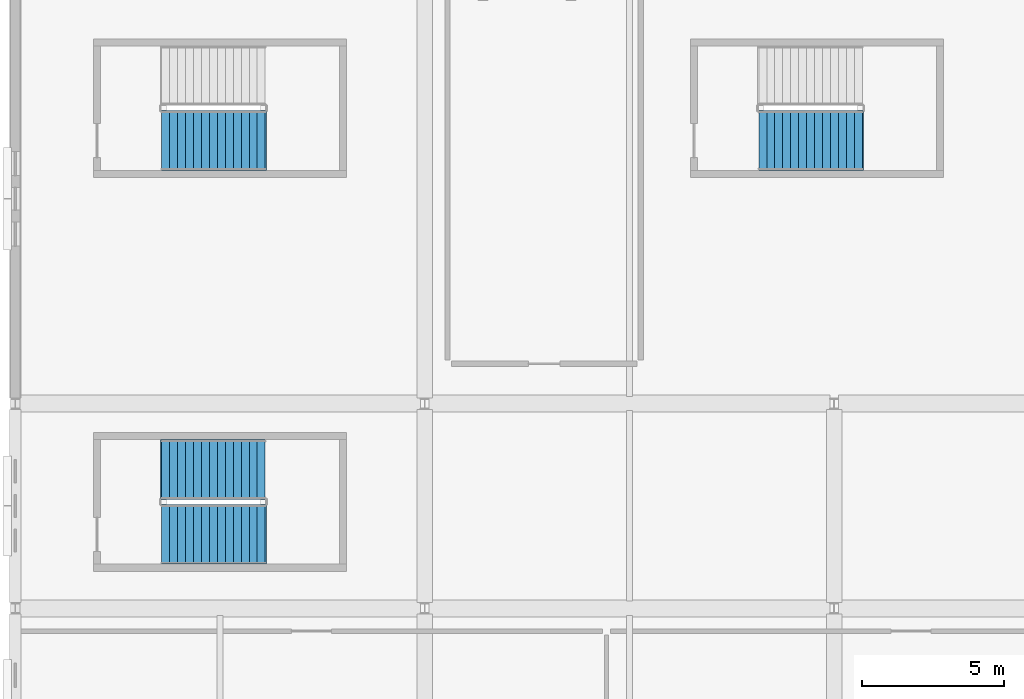
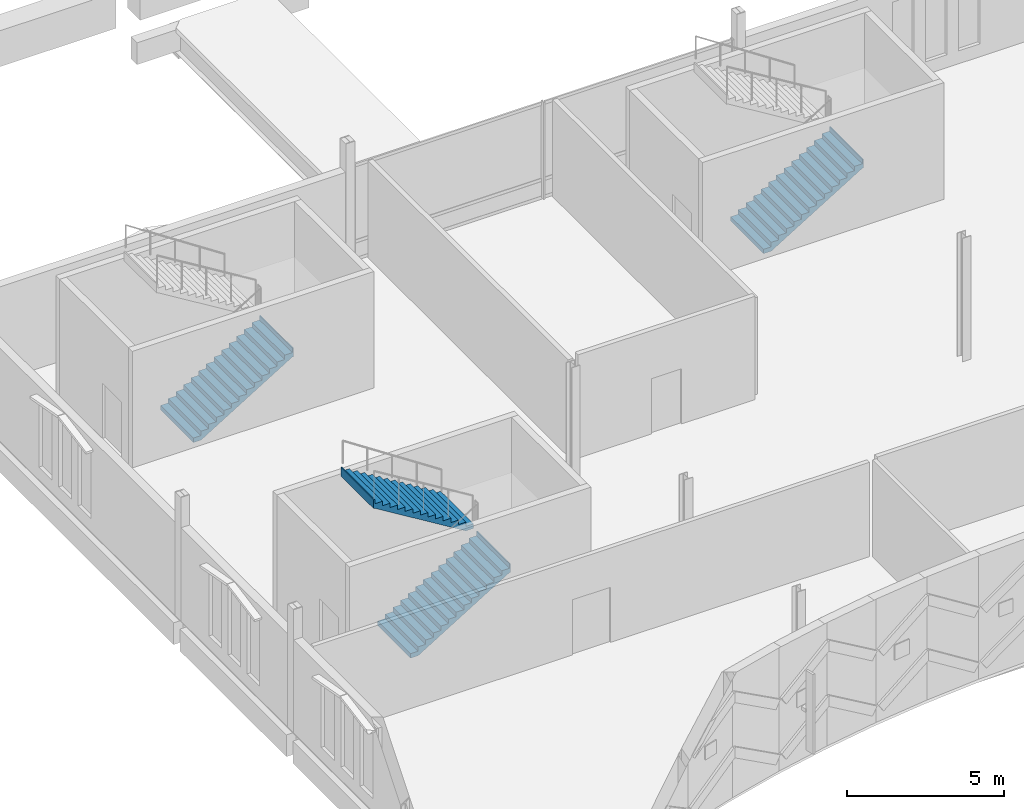
# One storey, part 163 of 193: 4 stair flights, 3 elements without a shape of their own.
"""IFC4 building model written with IfcOpenShell, lengths in metres."""

from ifc_helpers import new_model, si_unit, direction, frame, origin, place, context, subcontext, project, spatial, triangles, material, type_object, element, aggregate, save


model = new_model("IFC4")

# Units and contexts
model_context = context("Model", 3, precision=1e-05, world=origin(), true_north=direction((0.0, 1.0)))
body_context = subcontext(model_context, "Body", "Model", "MODEL_VIEW")
ifc_project = project(units=[si_unit("LENGTHUNIT", "METRE"), si_unit("AREAUNIT", "SQUARE_METRE"), si_unit("VOLUMEUNIT", "CUBIC_METRE"), si_unit("PLANEANGLEUNIT", "RADIAN"), si_unit("MASSUNIT", "GRAM", prefix="KILO")], contexts=[model_context])

# Site, building, storey
site_placement = place(None, origin())
site = spatial("IfcSite", under=ifc_project, at=site_placement, CompositionType="ELEMENT")
building_placement = place(site_placement, origin())
building = spatial("IfcBuilding", under=site, at=building_placement, Name="Cendralis Lancet Convention Centre", CompositionType="ELEMENT")
storey_placement = place(building_placement, frame((0.0, 0.0, 10.199951171875)))
storey = spatial("IfcBuildingStorey", under=building, at=storey_placement, Name="L02", CompositionType="ELEMENT", Elevation=10.199951171875)

# Stair, stair flight
ifc_material = material(Name="Concrete G35 (C35/45)", Category="concrete")
stair_type = type_object("IfcStairType", Name="ARC-ST-CORE", PredefinedType="HALF_TURN_STAIR", material=ifc_material)
stair_1_placement = place(storey_placement, origin())
stair_1 = element("IfcStair", 1, at=stair_1_placement, inside=storey, type_object=stair_type, Name="L02 Protected Exit Stair ST-11", PredefinedType="HALF_TURN_STAIR")
stair_flight_type = type_object("IfcStairFlightType", Name="ARC-SF-CORE", PredefinedType="STRAIGHT", material=ifc_material)
stair_flight_1_placement = place(storey_placement, frame((26.14990234375, 30.85009765625, 0.0), z_axis=(0.0, 0.0, 1.0), x_axis=(1.0, 0.0, 0.0)))
stair_flight_1 = element("IfcStairFlight", 2, at=stair_flight_1_placement, type_object=stair_flight_type, Name="ST-11 flight 1", NumberOfRisers=14, NumberOfTreads=13, PredefinedType="STRAIGHT", RiserHeight=0.171428571, TreadLength=0.28, context=body_context, shape_type="Tessellation", body=[
    triangles([(0.0, 0.0, 0.085714), (0.0, 1.050049, 0.0), (0.0, -1.050049, 0.0), (0.0, -1.050049, 0.171429), (0.0, 1.050049, 0.171429), (0.14, 0.0, 0.171429), (0.28, -1.050049, 0.171429), (0.28, 1.050049, 0.171429), (0.14, 0.0, 0.0), (0.28, -1.050049, 0.0), (0.28, 1.050049, 0.0), (0.28, 0.0, 0.257143), (0.28, -1.050049, 0.342857), (0.28, 1.050049, 0.342857), (0.283543, 0.0, 0.342857), (0.287085, -1.050049, 0.342857), (0.287085, 1.050049, 0.342857), (0.283543, 0.0, 0.0), (0.287085, -1.050049, 0.0), (0.287085, 1.050049, 0.0), (0.423543, 0.0, 0.342857), (0.56, -1.050049, 0.342857), (0.56, 1.050049, 0.342857), (0.423543, 0.0, 0.083545), (0.56, -1.050049, 0.167091), (0.56, 1.050049, 0.167091), (0.56, 0.0, 0.428572), (0.56, -1.050049, 0.514286), (0.56, 1.050049, 0.514286), (0.7, 0.0, 0.514286), (0.84, -1.050049, 0.514286), (0.84, 1.050049, 0.514286), (0.7, 0.0, 0.252806), (0.84, -1.050049, 0.33852), (0.84, 1.050049, 0.33852), (0.84, 0.0, 0.6), (0.84, -1.050049, 0.685714), (0.84, 1.050049, 0.685714), (0.98, 0.0, 0.685714), (1.12, -1.050049, 0.685714), (1.12, 1.050049, 0.685714), (0.98, 0.0, 0.424234), (1.12, -1.050049, 0.509948), (1.12, 1.050049, 0.509948), (1.12, 0.0, 0.771429), (1.12, -1.050049, 0.857143), (1.12, 1.050049, 0.857143), (1.26, 0.0, 0.857143), (1.4, -1.050049, 0.857143), (1.4, 1.050049, 0.857143), (1.26, 0.0, 0.595662), (1.4, -1.050049, 0.681377), (1.4, 1.050049, 0.681377), (1.4, 0.0, 0.942857), (1.4, -1.050049, 1.028571), (1.4, 1.050049, 1.028571), (1.54, 0.0, 1.028571), (1.68, -1.050049, 1.028571), (1.68, 1.050049, 1.028571), (1.54, 0.0, 0.767091), (1.68, -1.050049, 0.852805), (1.68, 1.050049, 0.852805), (1.68, 0.0, 1.114286), (1.68, -1.050049, 1.2), (1.68, 1.050049, 1.2), (1.82, 0.0, 1.2), (1.96, -1.050049, 1.2), (1.96, 1.050049, 1.2), (1.82, 0.0, 0.938519), (1.96, -1.050049, 1.024234), (1.96, 1.050049, 1.024234), (1.96, 0.0, 1.285715), (1.96, -1.050049, 1.371429), (1.96, 1.050049, 1.371429), (2.1, 0.0, 1.371429), (2.24, -1.050049, 1.371429), (2.24, 1.050049, 1.371429), (2.1, 0.0, 1.109948), (2.24, -1.050049, 1.195662), (2.24, 1.050049, 1.195662), (2.24, 0.0, 1.457143), (2.24, -1.050049, 1.542857), (2.24, 1.050049, 1.542857), (2.38, 0.0, 1.542857), (2.52, -1.050049, 1.542857), (2.52, 1.050049, 1.542857), (2.38, 0.0, 1.281376), (2.52, -1.050049, 1.367091), (2.52, 1.050049, 1.367091), (2.52, 0.0, 1.628572), (2.52, -1.050049, 1.714286), (2.52, 1.050049, 1.714286), (2.66, 0.0, 1.714286), (2.8, -1.050049, 1.714286), (2.8, 1.050049, 1.714286), (2.66, 0.0, 1.452806), (2.8, -1.050049, 1.53852), (2.8, 1.050049, 1.53852), (2.8, 0.0, 1.8), (2.8, -1.050049, 1.885714), (2.8, 1.050049, 1.885714), (2.94, 0.0, 1.885714), (3.08, -1.050049, 1.885714), (3.08, 1.050049, 1.885714), (2.94, 0.0, 1.624234), (3.08, -1.050049, 1.709948), (3.08, 1.050049, 1.709948), (3.08, 0.0, 1.971429), (3.08, -1.050049, 2.057143), (3.08, 1.050049, 2.057143), (3.22, 0.0, 2.057143), (3.36, -1.050049, 2.057143), (3.36, 1.050049, 2.057143), (3.22, 0.0, 1.795663), (3.36, -1.050049, 1.881377), (3.36, 1.050049, 1.881377), (3.36, 0.0, 2.142857), (3.36, -1.050049, 2.228571), (3.36, 1.050049, 2.228571), (3.5, 0.0, 2.228571), (3.64, -1.050049, 2.228571), (3.64, 1.050049, 2.228571), (3.5, 0.0, 1.967091), (3.64, -1.050049, 2.052805), (3.64, 1.050049, 2.052805), (3.64, 0.0, 2.314285), (3.64, -1.050049, 2.4), (3.64, 1.050049, 2.4), (3.66, 0.0, 2.4), (3.68, -1.050049, 2.4), (3.68, 1.050049, 2.4), (3.66, 0.0, 2.052805), (3.68, -1.050049, 2.052805), (3.68, 1.050049, 2.052805), (3.68, 0.0, 2.226403)], [[2, 3, 1], [3, 4, 1], [4, 5, 1], [5, 2, 1], [4, 7, 6], [7, 8, 6], [8, 5, 6], [5, 4, 6], [10, 3, 9], [3, 2, 9], [2, 11, 9], [11, 10, 9], [3, 10, 7], [3, 7, 4], [2, 8, 11], [2, 5, 8], [8, 7, 12], [7, 13, 12], [13, 14, 12], [14, 8, 12], [13, 16, 15], [16, 17, 15], [17, 14, 15], [14, 13, 15], [19, 10, 18], [10, 11, 18], [11, 20, 18], [20, 19, 18], [10, 19, 16], [10, 16, 7], [7, 16, 13], [11, 17, 20], [11, 8, 17], [8, 14, 17], [16, 22, 21], [22, 23, 21], [23, 17, 21], [17, 16, 21], [25, 19, 24], [19, 20, 24], [20, 26, 24], [26, 25, 24], [19, 25, 22], [19, 22, 16], [20, 23, 26], [20, 17, 23], [23, 22, 27], [22, 28, 27], [28, 29, 27], [29, 23, 27], [28, 31, 30], [31, 32, 30], [32, 29, 30], [29, 28, 30], [34, 25, 33], [25, 26, 33], [26, 35, 33], [35, 34, 33], [25, 34, 31], [25, 31, 22], [22, 31, 28], [26, 32, 35], [26, 23, 32], [23, 29, 32], [32, 31, 36], [31, 37, 36], [37, 38, 36], [38, 32, 36], [37, 40, 39], [40, 41, 39], [41, 38, 39], [38, 37, 39], [43, 34, 42], [34, 35, 42], [35, 44, 42], [44, 43, 42], [34, 43, 40], [34, 40, 31], [31, 40, 37], [35, 41, 44], [35, 32, 41], [32, 38, 41], [41, 40, 45], [40, 46, 45], [46, 47, 45], [47, 41, 45], [46, 49, 48], [49, 50, 48], [50, 47, 48], [47, 46, 48], [52, 43, 51], [43, 44, 51], [44, 53, 51], [53, 52, 51], [43, 52, 49], [43, 49, 40], [40, 49, 46], [44, 50, 53], [44, 41, 50], [41, 47, 50], [50, 49, 54], [49, 55, 54], [55, 56, 54], [56, 50, 54], [55, 58, 57], [58, 59, 57], [59, 56, 57], [56, 55, 57], [61, 52, 60], [52, 53, 60], [53, 62, 60], [62, 61, 60], [52, 61, 58], [52, 58, 49], [49, 58, 55], [53, 59, 62], [53, 50, 59], [50, 56, 59], [59, 58, 63], [58, 64, 63], [64, 65, 63], [65, 59, 63], [64, 67, 66], [67, 68, 66], [68, 65, 66], [65, 64, 66], [70, 61, 69], [61, 62, 69], [62, 71, 69], [71, 70, 69], [61, 70, 67], [61, 67, 58], [58, 67, 64], [62, 68, 71], [62, 59, 68], [59, 65, 68], [68, 67, 72], [67, 73, 72], [73, 74, 72], [74, 68, 72], [73, 76, 75], [76, 77, 75], [77, 74, 75], [74, 73, 75], [79, 70, 78], [70, 71, 78], [71, 80, 78], [80, 79, 78], [70, 79, 76], [70, 76, 67], [67, 76, 73], [71, 77, 80], [71, 68, 77], [68, 74, 77], [77, 76, 81], [76, 82, 81], [82, 83, 81], [83, 77, 81], [82, 85, 84], [85, 86, 84], [86, 83, 84], [83, 82, 84], [88, 79, 87], [79, 80, 87], [80, 89, 87], [89, 88, 87], [79, 88, 85], [79, 85, 76], [76, 85, 82], [80, 86, 89], [80, 77, 86], [77, 83, 86], [86, 85, 90], [85, 91, 90], [91, 92, 90], [92, 86, 90], [91, 94, 93], [94, 95, 93], [95, 92, 93], [92, 91, 93], [97, 88, 96], [88, 89, 96], [89, 98, 96], [98, 97, 96], [88, 97, 94], [88, 94, 85], [85, 94, 91], [89, 95, 98], [89, 86, 95], [86, 92, 95], [95, 94, 99], [94, 100, 99], [100, 101, 99], [101, 95, 99], [100, 103, 102], [103, 104, 102], [104, 101, 102], [101, 100, 102], [106, 97, 105], [97, 98, 105], [98, 107, 105], [107, 106, 105], [97, 106, 103], [97, 103, 94], [94, 103, 100], [98, 104, 107], [98, 95, 104], [95, 101, 104], [104, 103, 108], [103, 109, 108], [109, 110, 108], [110, 104, 108], [109, 112, 111], [112, 113, 111], [113, 110, 111], [110, 109, 111], [115, 106, 114], [106, 107, 114], [107, 116, 114], [116, 115, 114], [106, 115, 112], [106, 112, 103], [103, 112, 109], [107, 113, 116], [107, 104, 113], [104, 110, 113], [113, 112, 117], [112, 118, 117], [118, 119, 117], [119, 113, 117], [118, 121, 120], [121, 122, 120], [122, 119, 120], [119, 118, 120], [124, 115, 123], [115, 116, 123], [116, 125, 123], [125, 124, 123], [115, 124, 121], [115, 121, 112], [112, 121, 118], [116, 122, 125], [116, 113, 122], [113, 119, 122], [122, 121, 126], [121, 127, 126], [127, 128, 126], [128, 122, 126], [127, 130, 129], [130, 131, 129], [131, 128, 129], [128, 127, 129], [133, 124, 132], [124, 125, 132], [125, 134, 132], [134, 133, 132], [124, 133, 130], [124, 130, 121], [121, 130, 127], [125, 131, 134], [125, 122, 131], [122, 128, 131], [133, 134, 135], [134, 131, 135], [131, 130, 135], [130, 133, 135]], closed=True),
])
aggregate(stair_1, [stair_flight_1])

# Stair, stair flights
stair_2_placement = place(storey_placement, origin())
stair_2 = element("IfcStair", 3, at=stair_2_placement, inside=storey, type_object=stair_type, Name="L02 Protected Exit Stair ST-17", PredefinedType="HALF_TURN_STAIR")
stair_flight_2_placement = place(storey_placement, frame((5.14990234375, 17.0, 0.0), z_axis=(0.0, 0.0, 1.0), x_axis=(1.0, 0.0, 0.0)))
stair_flight_2 = element("IfcStairFlight", 4, at=stair_flight_2_placement, type_object=stair_flight_type, Name="ST-17 flight 1", NumberOfRisers=14, NumberOfTreads=13, PredefinedType="STRAIGHT", RiserHeight=0.171428571, TreadLength=0.28, context=body_context, shape_type="Tessellation", body=[
    triangles([(0.0, 0.0, 0.085714), (0.0, 1.050049, 0.0), (0.0, -1.050049, 0.0), (0.0, -1.050049, 0.171429), (0.0, 1.050049, 0.171429), (0.14, 0.0, 0.171429), (0.28, -1.050049, 0.171429), (0.28, 1.050049, 0.171429), (0.14, 0.0, 0.0), (0.28, -1.050049, 0.0), (0.28, 1.050049, 0.0), (0.28, 0.0, 0.257143), (0.28, -1.050049, 0.342857), (0.28, 1.050049, 0.342857), (0.283543, 0.0, 0.342857), (0.287085, -1.050049, 0.342857), (0.287085, 1.050049, 0.342857), (0.283543, 0.0, 0.0), (0.287085, -1.050049, 0.0), (0.287085, 1.050049, 0.0), (0.423543, 0.0, 0.342857), (0.56, -1.050049, 0.342857), (0.56, 1.050049, 0.342857), (0.423543, 0.0, 0.083545), (0.56, -1.050049, 0.167091), (0.56, 1.050049, 0.167091), (0.56, 0.0, 0.428572), (0.56, -1.050049, 0.514286), (0.56, 1.050049, 0.514286), (0.7, 0.0, 0.514286), (0.84, -1.050049, 0.514286), (0.84, 1.050049, 0.514286), (0.7, 0.0, 0.252806), (0.84, -1.050049, 0.33852), (0.84, 1.050049, 0.33852), (0.84, 0.0, 0.6), (0.84, -1.050049, 0.685714), (0.84, 1.050049, 0.685714), (0.98, 0.0, 0.685714), (1.12, -1.050049, 0.685714), (1.12, 1.050049, 0.685714), (0.98, 0.0, 0.424234), (1.12, -1.050049, 0.509948), (1.12, 1.050049, 0.509948), (1.12, 0.0, 0.771429), (1.12, -1.050049, 0.857143), (1.12, 1.050049, 0.857143), (1.26, 0.0, 0.857143), (1.4, -1.050049, 0.857143), (1.4, 1.050049, 0.857143), (1.26, 0.0, 0.595662), (1.4, -1.050049, 0.681377), (1.4, 1.050049, 0.681377), (1.4, 0.0, 0.942857), (1.4, -1.050049, 1.028571), (1.4, 1.050049, 1.028571), (1.54, 0.0, 1.028571), (1.68, -1.050049, 1.028571), (1.68, 1.050049, 1.028571), (1.54, 0.0, 0.767091), (1.68, -1.050049, 0.852805), (1.68, 1.050049, 0.852805), (1.68, 0.0, 1.114286), (1.68, -1.050049, 1.2), (1.68, 1.050049, 1.2), (1.82, 0.0, 1.2), (1.96, -1.050049, 1.2), (1.96, 1.050049, 1.2), (1.82, 0.0, 0.938519), (1.96, -1.050049, 1.024234), (1.96, 1.050049, 1.024234), (1.96, 0.0, 1.285715), (1.96, -1.050049, 1.371429), (1.96, 1.050049, 1.371429), (2.1, 0.0, 1.371429), (2.24, -1.050049, 1.371429), (2.24, 1.050049, 1.371429), (2.1, 0.0, 1.109948), (2.24, -1.050049, 1.195662), (2.24, 1.050049, 1.195662), (2.24, 0.0, 1.457143), (2.24, -1.050049, 1.542857), (2.24, 1.050049, 1.542857), (2.38, 0.0, 1.542857), (2.52, -1.050049, 1.542857), (2.52, 1.050049, 1.542857), (2.38, 0.0, 1.281376), (2.52, -1.050049, 1.367091), (2.52, 1.050049, 1.367091), (2.52, 0.0, 1.628572), (2.52, -1.050049, 1.714286), (2.52, 1.050049, 1.714286), (2.66, 0.0, 1.714286), (2.8, -1.050049, 1.714286), (2.8, 1.050049, 1.714286), (2.66, 0.0, 1.452806), (2.8, -1.050049, 1.53852), (2.8, 1.050049, 1.53852), (2.8, 0.0, 1.8), (2.8, -1.050049, 1.885714), (2.8, 1.050049, 1.885714), (2.94, 0.0, 1.885714), (3.08, -1.050049, 1.885714), (3.08, 1.050049, 1.885714), (2.94, 0.0, 1.624234), (3.08, -1.050049, 1.709948), (3.08, 1.050049, 1.709948), (3.08, 0.0, 1.971429), (3.08, -1.050049, 2.057143), (3.08, 1.050049, 2.057143), (3.22, 0.0, 2.057143), (3.36, -1.050049, 2.057143), (3.36, 1.050049, 2.057143), (3.22, 0.0, 1.795663), (3.36, -1.050049, 1.881377), (3.36, 1.050049, 1.881377), (3.36, 0.0, 2.142857), (3.36, -1.050049, 2.228571), (3.36, 1.050049, 2.228571), (3.5, 0.0, 2.228571), (3.64, -1.050049, 2.228571), (3.64, 1.050049, 2.228571), (3.5, 0.0, 1.967091), (3.64, -1.050049, 2.052805), (3.64, 1.050049, 2.052805), (3.64, 0.0, 2.314285), (3.64, -1.050049, 2.4), (3.64, 1.050049, 2.4), (3.66, 0.0, 2.4), (3.68, -1.050049, 2.4), (3.68, 1.050049, 2.4), (3.66, 0.0, 2.052805), (3.68, -1.050049, 2.052805), (3.68, 1.050049, 2.052805), (3.68, 0.0, 2.226403)], [[2, 3, 1], [3, 4, 1], [4, 5, 1], [5, 2, 1], [4, 7, 6], [7, 8, 6], [8, 5, 6], [5, 4, 6], [10, 3, 9], [3, 2, 9], [2, 11, 9], [11, 10, 9], [3, 10, 7], [3, 7, 4], [2, 8, 11], [2, 5, 8], [8, 7, 12], [7, 13, 12], [13, 14, 12], [14, 8, 12], [13, 16, 15], [16, 17, 15], [17, 14, 15], [14, 13, 15], [19, 10, 18], [10, 11, 18], [11, 20, 18], [20, 19, 18], [10, 19, 16], [10, 16, 7], [7, 16, 13], [11, 17, 20], [11, 8, 17], [8, 14, 17], [16, 22, 21], [22, 23, 21], [23, 17, 21], [17, 16, 21], [25, 19, 24], [19, 20, 24], [20, 26, 24], [26, 25, 24], [19, 25, 22], [19, 22, 16], [20, 23, 26], [20, 17, 23], [23, 22, 27], [22, 28, 27], [28, 29, 27], [29, 23, 27], [28, 31, 30], [31, 32, 30], [32, 29, 30], [29, 28, 30], [34, 25, 33], [25, 26, 33], [26, 35, 33], [35, 34, 33], [25, 34, 31], [25, 31, 22], [22, 31, 28], [26, 32, 35], [26, 23, 32], [23, 29, 32], [32, 31, 36], [31, 37, 36], [37, 38, 36], [38, 32, 36], [37, 40, 39], [40, 41, 39], [41, 38, 39], [38, 37, 39], [43, 34, 42], [34, 35, 42], [35, 44, 42], [44, 43, 42], [34, 43, 40], [34, 40, 31], [31, 40, 37], [35, 41, 44], [35, 32, 41], [32, 38, 41], [41, 40, 45], [40, 46, 45], [46, 47, 45], [47, 41, 45], [46, 49, 48], [49, 50, 48], [50, 47, 48], [47, 46, 48], [52, 43, 51], [43, 44, 51], [44, 53, 51], [53, 52, 51], [43, 52, 49], [43, 49, 40], [40, 49, 46], [44, 50, 53], [44, 41, 50], [41, 47, 50], [50, 49, 54], [49, 55, 54], [55, 56, 54], [56, 50, 54], [55, 58, 57], [58, 59, 57], [59, 56, 57], [56, 55, 57], [61, 52, 60], [52, 53, 60], [53, 62, 60], [62, 61, 60], [52, 61, 58], [52, 58, 49], [49, 58, 55], [53, 59, 62], [53, 50, 59], [50, 56, 59], [59, 58, 63], [58, 64, 63], [64, 65, 63], [65, 59, 63], [64, 67, 66], [67, 68, 66], [68, 65, 66], [65, 64, 66], [70, 61, 69], [61, 62, 69], [62, 71, 69], [71, 70, 69], [61, 70, 67], [61, 67, 58], [58, 67, 64], [62, 68, 71], [62, 59, 68], [59, 65, 68], [68, 67, 72], [67, 73, 72], [73, 74, 72], [74, 68, 72], [73, 76, 75], [76, 77, 75], [77, 74, 75], [74, 73, 75], [79, 70, 78], [70, 71, 78], [71, 80, 78], [80, 79, 78], [70, 79, 76], [70, 76, 67], [67, 76, 73], [71, 77, 80], [71, 68, 77], [68, 74, 77], [77, 76, 81], [76, 82, 81], [82, 83, 81], [83, 77, 81], [82, 85, 84], [85, 86, 84], [86, 83, 84], [83, 82, 84], [88, 79, 87], [79, 80, 87], [80, 89, 87], [89, 88, 87], [79, 88, 85], [79, 85, 76], [76, 85, 82], [80, 86, 89], [80, 77, 86], [77, 83, 86], [86, 85, 90], [85, 91, 90], [91, 92, 90], [92, 86, 90], [91, 94, 93], [94, 95, 93], [95, 92, 93], [92, 91, 93], [97, 88, 96], [88, 89, 96], [89, 98, 96], [98, 97, 96], [88, 97, 94], [88, 94, 85], [85, 94, 91], [89, 95, 98], [89, 86, 95], [86, 92, 95], [95, 94, 99], [94, 100, 99], [100, 101, 99], [101, 95, 99], [100, 103, 102], [103, 104, 102], [104, 101, 102], [101, 100, 102], [106, 97, 105], [97, 98, 105], [98, 107, 105], [107, 106, 105], [97, 106, 103], [97, 103, 94], [94, 103, 100], [98, 104, 107], [98, 95, 104], [95, 101, 104], [104, 103, 108], [103, 109, 108], [109, 110, 108], [110, 104, 108], [109, 112, 111], [112, 113, 111], [113, 110, 111], [110, 109, 111], [115, 106, 114], [106, 107, 114], [107, 116, 114], [116, 115, 114], [106, 115, 112], [106, 112, 103], [103, 112, 109], [107, 113, 116], [107, 104, 113], [104, 110, 113], [113, 112, 117], [112, 118, 117], [118, 119, 117], [119, 113, 117], [118, 121, 120], [121, 122, 120], [122, 119, 120], [119, 118, 120], [124, 115, 123], [115, 116, 123], [116, 125, 123], [125, 124, 123], [115, 124, 121], [115, 121, 112], [112, 121, 118], [116, 122, 125], [116, 113, 122], [113, 119, 122], [122, 121, 126], [121, 127, 126], [127, 128, 126], [128, 122, 126], [127, 130, 129], [130, 131, 129], [131, 128, 129], [128, 127, 129], [133, 124, 132], [124, 125, 132], [125, 134, 132], [134, 133, 132], [124, 133, 130], [124, 130, 121], [121, 130, 127], [125, 131, 134], [125, 122, 131], [122, 128, 131], [133, 134, 135], [134, 131, 135], [131, 130, 135], [130, 133, 135]], closed=True),
])
stair_flight_3_placement = place(storey_placement, frame((8.7900390625, 19.280029296875, 2.400146484375), z_axis=(0.0, 0.0, 1.0), x_axis=(-1.0, 0.0, 0.0)))
stair_flight_3 = element("IfcStairFlight", 5, at=stair_flight_3_placement, type_object=stair_flight_type, Name="ST-17 flight 2", NumberOfRisers=14, NumberOfTreads=13, PredefinedType="STRAIGHT", RiserHeight=0.171428571, TreadLength=0.28, context=body_context, shape_type="Tessellation", body=[
    triangles([(0.0, 0.0, 0.085714), (0.0, 1.050049, 0.0), (0.0, -1.050049, 0.0), (0.0, -1.050049, 0.171429), (0.0, 1.050049, 0.171429), (0.14, 0.0, 0.171429), (0.28, -1.050049, 0.171429), (0.28, 1.050049, 0.171429), (0.14, 0.0, 0.0), (0.28, -1.050049, 0.0), (0.28, 1.050049, 0.0), (0.28, 0.0, 0.257143), (0.28, -1.050049, 0.342857), (0.28, 1.050049, 0.342857), (0.283543, 0.0, 0.342857), (0.287085, -1.050049, 0.342857), (0.287085, 1.050049, 0.342857), (0.283543, 0.0, 0.0), (0.287085, -1.050049, 0.0), (0.287085, 1.050049, 0.0), (0.423543, 0.0, 0.342857), (0.56, -1.050049, 0.342857), (0.56, 1.050049, 0.342857), (0.423543, 0.0, 0.083545), (0.56, -1.050049, 0.167091), (0.56, 1.050049, 0.167091), (0.56, 0.0, 0.428572), (0.56, -1.050049, 0.514286), (0.56, 1.050049, 0.514286), (0.7, 0.0, 0.514286), (0.84, -1.050049, 0.514286), (0.84, 1.050049, 0.514286), (0.7, 0.0, 0.252806), (0.84, -1.050049, 0.33852), (0.84, 1.050049, 0.33852), (0.84, 0.0, 0.6), (0.84, -1.050049, 0.685714), (0.84, 1.050049, 0.685714), (0.98, 0.0, 0.685714), (1.12, -1.050049, 0.685714), (1.12, 1.050049, 0.685714), (0.98, 0.0, 0.424234), (1.12, -1.050049, 0.509948), (1.12, 1.050049, 0.509948), (1.12, 0.0, 0.771429), (1.12, -1.050049, 0.857143), (1.12, 1.050049, 0.857143), (1.26, 0.0, 0.857143), (1.4, -1.050049, 0.857143), (1.4, 1.050049, 0.857143), (1.26, 0.0, 0.595662), (1.4, -1.050049, 0.681377), (1.4, 1.050049, 0.681377), (1.4, 0.0, 0.942857), (1.4, -1.050049, 1.028571), (1.4, 1.050049, 1.028571), (1.54, 0.0, 1.028571), (1.68, -1.050049, 1.028571), (1.68, 1.050049, 1.028571), (1.54, 0.0, 0.767091), (1.68, -1.050049, 0.852805), (1.68, 1.050049, 0.852805), (1.68, 0.0, 1.114286), (1.68, -1.050049, 1.2), (1.68, 1.050049, 1.2), (1.82, 0.0, 1.2), (1.96, -1.050049, 1.2), (1.96, 1.050049, 1.2), (1.82, 0.0, 0.938519), (1.96, -1.050049, 1.024234), (1.96, 1.050049, 1.024234), (1.96, 0.0, 1.285715), (1.96, -1.050049, 1.371429), (1.96, 1.050049, 1.371429), (2.1, 0.0, 1.371429), (2.24, -1.050049, 1.371429), (2.24, 1.050049, 1.371429), (2.1, 0.0, 1.109948), (2.24, -1.050049, 1.195662), (2.24, 1.050049, 1.195662), (2.24, 0.0, 1.457143), (2.24, -1.050049, 1.542857), (2.24, 1.050049, 1.542857), (2.38, 0.0, 1.542857), (2.52, -1.050049, 1.542857), (2.52, 1.050049, 1.542857), (2.38, 0.0, 1.281376), (2.52, -1.050049, 1.367091), (2.52, 1.050049, 1.367091), (2.52, 0.0, 1.628572), (2.52, -1.050049, 1.714286), (2.52, 1.050049, 1.714286), (2.66, 0.0, 1.714286), (2.8, -1.050049, 1.714286), (2.8, 1.050049, 1.714286), (2.66, 0.0, 1.452806), (2.8, -1.050049, 1.53852), (2.8, 1.050049, 1.53852), (2.8, 0.0, 1.8), (2.8, -1.050049, 1.885714), (2.8, 1.050049, 1.885714), (2.94, 0.0, 1.885714), (3.08, -1.050049, 1.885714), (3.08, 1.050049, 1.885714), (2.94, 0.0, 1.624234), (3.08, -1.050049, 1.709948), (3.08, 1.050049, 1.709948), (3.08, 0.0, 1.971429), (3.08, -1.050049, 2.057143), (3.08, 1.050049, 2.057143), (3.22, 0.0, 2.057143), (3.36, -1.050049, 2.057143), (3.36, 1.050049, 2.057143), (3.22, 0.0, 1.795663), (3.36, -1.050049, 1.881377), (3.36, 1.050049, 1.881377), (3.36, 0.0, 2.142857), (3.36, -1.050049, 2.228571), (3.36, 1.050049, 2.228571), (3.5, 0.0, 2.228571), (3.64, -1.050049, 2.228571), (3.64, 1.050049, 2.228571), (3.5, 0.0, 1.967091), (3.64, -1.050049, 2.052805), (3.64, 1.050049, 2.052805), (3.64, 0.0, 2.314285), (3.64, -1.050049, 2.4), (3.64, 1.050049, 2.4), (3.66, 0.0, 2.4), (3.68, -1.050049, 2.4), (3.68, 1.050049, 2.4), (3.66, 0.0, 2.052805), (3.68, -1.050049, 2.052805), (3.68, 1.050049, 2.052805), (3.68, 0.0, 2.226403)], [[2, 3, 1], [3, 4, 1], [4, 5, 1], [5, 2, 1], [4, 7, 6], [7, 8, 6], [8, 5, 6], [5, 4, 6], [10, 3, 9], [3, 2, 9], [2, 11, 9], [11, 10, 9], [3, 10, 7], [3, 7, 4], [2, 8, 11], [2, 5, 8], [8, 7, 12], [7, 13, 12], [13, 14, 12], [14, 8, 12], [13, 16, 15], [16, 17, 15], [17, 14, 15], [14, 13, 15], [19, 10, 18], [10, 11, 18], [11, 20, 18], [20, 19, 18], [10, 19, 16], [10, 16, 7], [7, 16, 13], [11, 17, 20], [11, 8, 17], [8, 14, 17], [16, 22, 21], [22, 23, 21], [23, 17, 21], [17, 16, 21], [25, 19, 24], [19, 20, 24], [20, 26, 24], [26, 25, 24], [19, 25, 22], [19, 22, 16], [20, 23, 26], [20, 17, 23], [23, 22, 27], [22, 28, 27], [28, 29, 27], [29, 23, 27], [28, 31, 30], [31, 32, 30], [32, 29, 30], [29, 28, 30], [34, 25, 33], [25, 26, 33], [26, 35, 33], [35, 34, 33], [25, 34, 31], [25, 31, 22], [22, 31, 28], [26, 32, 35], [26, 23, 32], [23, 29, 32], [32, 31, 36], [31, 37, 36], [37, 38, 36], [38, 32, 36], [37, 40, 39], [40, 41, 39], [41, 38, 39], [38, 37, 39], [43, 34, 42], [34, 35, 42], [35, 44, 42], [44, 43, 42], [34, 43, 40], [34, 40, 31], [31, 40, 37], [35, 41, 44], [35, 32, 41], [32, 38, 41], [41, 40, 45], [40, 46, 45], [46, 47, 45], [47, 41, 45], [46, 49, 48], [49, 50, 48], [50, 47, 48], [47, 46, 48], [52, 43, 51], [43, 44, 51], [44, 53, 51], [53, 52, 51], [43, 52, 49], [43, 49, 40], [40, 49, 46], [44, 50, 53], [44, 41, 50], [41, 47, 50], [50, 49, 54], [49, 55, 54], [55, 56, 54], [56, 50, 54], [55, 58, 57], [58, 59, 57], [59, 56, 57], [56, 55, 57], [61, 52, 60], [52, 53, 60], [53, 62, 60], [62, 61, 60], [52, 61, 58], [52, 58, 49], [49, 58, 55], [53, 59, 62], [53, 50, 59], [50, 56, 59], [59, 58, 63], [58, 64, 63], [64, 65, 63], [65, 59, 63], [64, 67, 66], [67, 68, 66], [68, 65, 66], [65, 64, 66], [70, 61, 69], [61, 62, 69], [62, 71, 69], [71, 70, 69], [61, 70, 67], [61, 67, 58], [58, 67, 64], [62, 68, 71], [62, 59, 68], [59, 65, 68], [68, 67, 72], [67, 73, 72], [73, 74, 72], [74, 68, 72], [73, 76, 75], [76, 77, 75], [77, 74, 75], [74, 73, 75], [79, 70, 78], [70, 71, 78], [71, 80, 78], [80, 79, 78], [70, 79, 76], [70, 76, 67], [67, 76, 73], [71, 77, 80], [71, 68, 77], [68, 74, 77], [77, 76, 81], [76, 82, 81], [82, 83, 81], [83, 77, 81], [82, 85, 84], [85, 86, 84], [86, 83, 84], [83, 82, 84], [88, 79, 87], [79, 80, 87], [80, 89, 87], [89, 88, 87], [79, 88, 85], [79, 85, 76], [76, 85, 82], [80, 86, 89], [80, 77, 86], [77, 83, 86], [86, 85, 90], [85, 91, 90], [91, 92, 90], [92, 86, 90], [91, 94, 93], [94, 95, 93], [95, 92, 93], [92, 91, 93], [97, 88, 96], [88, 89, 96], [89, 98, 96], [98, 97, 96], [88, 97, 94], [88, 94, 85], [85, 94, 91], [89, 95, 98], [89, 86, 95], [86, 92, 95], [95, 94, 99], [94, 100, 99], [100, 101, 99], [101, 95, 99], [100, 103, 102], [103, 104, 102], [104, 101, 102], [101, 100, 102], [106, 97, 105], [97, 98, 105], [98, 107, 105], [107, 106, 105], [97, 106, 103], [97, 103, 94], [94, 103, 100], [98, 104, 107], [98, 95, 104], [95, 101, 104], [104, 103, 108], [103, 109, 108], [109, 110, 108], [110, 104, 108], [109, 112, 111], [112, 113, 111], [113, 110, 111], [110, 109, 111], [115, 106, 114], [106, 107, 114], [107, 116, 114], [116, 115, 114], [106, 115, 112], [106, 112, 103], [103, 112, 109], [107, 113, 116], [107, 104, 113], [104, 110, 113], [113, 112, 117], [112, 118, 117], [118, 119, 117], [119, 113, 117], [118, 121, 120], [121, 122, 120], [122, 119, 120], [119, 118, 120], [124, 115, 123], [115, 116, 123], [116, 125, 123], [125, 124, 123], [115, 124, 121], [115, 121, 112], [112, 121, 118], [116, 122, 125], [116, 113, 122], [113, 119, 122], [122, 121, 126], [121, 127, 126], [127, 128, 126], [128, 122, 126], [127, 130, 129], [130, 131, 129], [131, 128, 129], [128, 127, 129], [133, 124, 132], [124, 125, 132], [125, 134, 132], [134, 133, 132], [124, 133, 130], [124, 130, 121], [121, 130, 127], [125, 131, 134], [125, 122, 131], [122, 128, 131], [133, 134, 135], [134, 131, 135], [131, 130, 135], [130, 133, 135]], closed=True),
])
aggregate(stair_2, [stair_flight_2, stair_flight_3])

# Stair, stair flight
stair_3_placement = place(storey_placement, origin())
stair_3 = element("IfcStair", 6, at=stair_3_placement, inside=storey, type_object=stair_type, Name="L02 Protected Exit Stair ST-20", PredefinedType="HALF_TURN_STAIR")
stair_flight_4_placement = place(storey_placement, frame((5.14990234375, 30.85009765625, 0.0), z_axis=(0.0, 0.0, 1.0), x_axis=(1.0, 0.0, 0.0)))
stair_flight_4 = element("IfcStairFlight", 7, at=stair_flight_4_placement, type_object=stair_flight_type, Name="ST-20 flight 1", NumberOfRisers=14, NumberOfTreads=13, PredefinedType="STRAIGHT", RiserHeight=0.171428571, TreadLength=0.28, context=body_context, shape_type="Tessellation", body=[
    triangles([(0.0, 0.0, 0.085714), (0.0, 1.050049, 0.0), (0.0, -1.050049, 0.0), (0.0, -1.050049, 0.171429), (0.0, 1.050049, 0.171429), (0.14, 0.0, 0.171429), (0.28, -1.050049, 0.171429), (0.28, 1.050049, 0.171429), (0.14, 0.0, 0.0), (0.28, -1.050049, 0.0), (0.28, 1.050049, 0.0), (0.28, 0.0, 0.257143), (0.28, -1.050049, 0.342857), (0.28, 1.050049, 0.342857), (0.283543, 0.0, 0.342857), (0.287085, -1.050049, 0.342857), (0.287085, 1.050049, 0.342857), (0.283543, 0.0, 0.0), (0.287085, -1.050049, 0.0), (0.287085, 1.050049, 0.0), (0.423543, 0.0, 0.342857), (0.56, -1.050049, 0.342857), (0.56, 1.050049, 0.342857), (0.423543, 0.0, 0.083545), (0.56, -1.050049, 0.167091), (0.56, 1.050049, 0.167091), (0.56, 0.0, 0.428572), (0.56, -1.050049, 0.514286), (0.56, 1.050049, 0.514286), (0.7, 0.0, 0.514286), (0.84, -1.050049, 0.514286), (0.84, 1.050049, 0.514286), (0.7, 0.0, 0.252806), (0.84, -1.050049, 0.33852), (0.84, 1.050049, 0.33852), (0.84, 0.0, 0.6), (0.84, -1.050049, 0.685714), (0.84, 1.050049, 0.685714), (0.98, 0.0, 0.685714), (1.12, -1.050049, 0.685714), (1.12, 1.050049, 0.685714), (0.98, 0.0, 0.424234), (1.12, -1.050049, 0.509948), (1.12, 1.050049, 0.509948), (1.12, 0.0, 0.771429), (1.12, -1.050049, 0.857143), (1.12, 1.050049, 0.857143), (1.26, 0.0, 0.857143), (1.4, -1.050049, 0.857143), (1.4, 1.050049, 0.857143), (1.26, 0.0, 0.595662), (1.4, -1.050049, 0.681377), (1.4, 1.050049, 0.681377), (1.4, 0.0, 0.942857), (1.4, -1.050049, 1.028571), (1.4, 1.050049, 1.028571), (1.54, 0.0, 1.028571), (1.68, -1.050049, 1.028571), (1.68, 1.050049, 1.028571), (1.54, 0.0, 0.767091), (1.68, -1.050049, 0.852805), (1.68, 1.050049, 0.852805), (1.68, 0.0, 1.114286), (1.68, -1.050049, 1.2), (1.68, 1.050049, 1.2), (1.82, 0.0, 1.2), (1.96, -1.050049, 1.2), (1.96, 1.050049, 1.2), (1.82, 0.0, 0.938519), (1.96, -1.050049, 1.024234), (1.96, 1.050049, 1.024234), (1.96, 0.0, 1.285715), (1.96, -1.050049, 1.371429), (1.96, 1.050049, 1.371429), (2.1, 0.0, 1.371429), (2.24, -1.050049, 1.371429), (2.24, 1.050049, 1.371429), (2.1, 0.0, 1.109948), (2.24, -1.050049, 1.195662), (2.24, 1.050049, 1.195662), (2.24, 0.0, 1.457143), (2.24, -1.050049, 1.542857), (2.24, 1.050049, 1.542857), (2.38, 0.0, 1.542857), (2.52, -1.050049, 1.542857), (2.52, 1.050049, 1.542857), (2.38, 0.0, 1.281376), (2.52, -1.050049, 1.367091), (2.52, 1.050049, 1.367091), (2.52, 0.0, 1.628572), (2.52, -1.050049, 1.714286), (2.52, 1.050049, 1.714286), (2.66, 0.0, 1.714286), (2.8, -1.050049, 1.714286), (2.8, 1.050049, 1.714286), (2.66, 0.0, 1.452806), (2.8, -1.050049, 1.53852), (2.8, 1.050049, 1.53852), (2.8, 0.0, 1.8), (2.8, -1.050049, 1.885714), (2.8, 1.050049, 1.885714), (2.94, 0.0, 1.885714), (3.08, -1.050049, 1.885714), (3.08, 1.050049, 1.885714), (2.94, 0.0, 1.624234), (3.08, -1.050049, 1.709948), (3.08, 1.050049, 1.709948), (3.08, 0.0, 1.971429), (3.08, -1.050049, 2.057143), (3.08, 1.050049, 2.057143), (3.22, 0.0, 2.057143), (3.36, -1.050049, 2.057143), (3.36, 1.050049, 2.057143), (3.22, 0.0, 1.795663), (3.36, -1.050049, 1.881377), (3.36, 1.050049, 1.881377), (3.36, 0.0, 2.142857), (3.36, -1.050049, 2.228571), (3.36, 1.050049, 2.228571), (3.5, 0.0, 2.228571), (3.64, -1.050049, 2.228571), (3.64, 1.050049, 2.228571), (3.5, 0.0, 1.967091), (3.64, -1.050049, 2.052805), (3.64, 1.050049, 2.052805), (3.64, 0.0, 2.314285), (3.64, -1.050049, 2.4), (3.64, 1.050049, 2.4), (3.66, 0.0, 2.4), (3.68, -1.050049, 2.4), (3.68, 1.050049, 2.4), (3.66, 0.0, 2.052805), (3.68, -1.050049, 2.052805), (3.68, 1.050049, 2.052805), (3.68, 0.0, 2.226403)], [[2, 3, 1], [3, 4, 1], [4, 5, 1], [5, 2, 1], [4, 7, 6], [7, 8, 6], [8, 5, 6], [5, 4, 6], [10, 3, 9], [3, 2, 9], [2, 11, 9], [11, 10, 9], [3, 10, 7], [3, 7, 4], [2, 8, 11], [2, 5, 8], [8, 7, 12], [7, 13, 12], [13, 14, 12], [14, 8, 12], [13, 16, 15], [16, 17, 15], [17, 14, 15], [14, 13, 15], [19, 10, 18], [10, 11, 18], [11, 20, 18], [20, 19, 18], [10, 19, 16], [10, 16, 7], [7, 16, 13], [11, 17, 20], [11, 8, 17], [8, 14, 17], [16, 22, 21], [22, 23, 21], [23, 17, 21], [17, 16, 21], [25, 19, 24], [19, 20, 24], [20, 26, 24], [26, 25, 24], [19, 25, 22], [19, 22, 16], [20, 23, 26], [20, 17, 23], [23, 22, 27], [22, 28, 27], [28, 29, 27], [29, 23, 27], [28, 31, 30], [31, 32, 30], [32, 29, 30], [29, 28, 30], [34, 25, 33], [25, 26, 33], [26, 35, 33], [35, 34, 33], [25, 34, 31], [25, 31, 22], [22, 31, 28], [26, 32, 35], [26, 23, 32], [23, 29, 32], [32, 31, 36], [31, 37, 36], [37, 38, 36], [38, 32, 36], [37, 40, 39], [40, 41, 39], [41, 38, 39], [38, 37, 39], [43, 34, 42], [34, 35, 42], [35, 44, 42], [44, 43, 42], [34, 43, 40], [34, 40, 31], [31, 40, 37], [35, 41, 44], [35, 32, 41], [32, 38, 41], [41, 40, 45], [40, 46, 45], [46, 47, 45], [47, 41, 45], [46, 49, 48], [49, 50, 48], [50, 47, 48], [47, 46, 48], [52, 43, 51], [43, 44, 51], [44, 53, 51], [53, 52, 51], [43, 52, 49], [43, 49, 40], [40, 49, 46], [44, 50, 53], [44, 41, 50], [41, 47, 50], [50, 49, 54], [49, 55, 54], [55, 56, 54], [56, 50, 54], [55, 58, 57], [58, 59, 57], [59, 56, 57], [56, 55, 57], [61, 52, 60], [52, 53, 60], [53, 62, 60], [62, 61, 60], [52, 61, 58], [52, 58, 49], [49, 58, 55], [53, 59, 62], [53, 50, 59], [50, 56, 59], [59, 58, 63], [58, 64, 63], [64, 65, 63], [65, 59, 63], [64, 67, 66], [67, 68, 66], [68, 65, 66], [65, 64, 66], [70, 61, 69], [61, 62, 69], [62, 71, 69], [71, 70, 69], [61, 70, 67], [61, 67, 58], [58, 67, 64], [62, 68, 71], [62, 59, 68], [59, 65, 68], [68, 67, 72], [67, 73, 72], [73, 74, 72], [74, 68, 72], [73, 76, 75], [76, 77, 75], [77, 74, 75], [74, 73, 75], [79, 70, 78], [70, 71, 78], [71, 80, 78], [80, 79, 78], [70, 79, 76], [70, 76, 67], [67, 76, 73], [71, 77, 80], [71, 68, 77], [68, 74, 77], [77, 76, 81], [76, 82, 81], [82, 83, 81], [83, 77, 81], [82, 85, 84], [85, 86, 84], [86, 83, 84], [83, 82, 84], [88, 79, 87], [79, 80, 87], [80, 89, 87], [89, 88, 87], [79, 88, 85], [79, 85, 76], [76, 85, 82], [80, 86, 89], [80, 77, 86], [77, 83, 86], [86, 85, 90], [85, 91, 90], [91, 92, 90], [92, 86, 90], [91, 94, 93], [94, 95, 93], [95, 92, 93], [92, 91, 93], [97, 88, 96], [88, 89, 96], [89, 98, 96], [98, 97, 96], [88, 97, 94], [88, 94, 85], [85, 94, 91], [89, 95, 98], [89, 86, 95], [86, 92, 95], [95, 94, 99], [94, 100, 99], [100, 101, 99], [101, 95, 99], [100, 103, 102], [103, 104, 102], [104, 101, 102], [101, 100, 102], [106, 97, 105], [97, 98, 105], [98, 107, 105], [107, 106, 105], [97, 106, 103], [97, 103, 94], [94, 103, 100], [98, 104, 107], [98, 95, 104], [95, 101, 104], [104, 103, 108], [103, 109, 108], [109, 110, 108], [110, 104, 108], [109, 112, 111], [112, 113, 111], [113, 110, 111], [110, 109, 111], [115, 106, 114], [106, 107, 114], [107, 116, 114], [116, 115, 114], [106, 115, 112], [106, 112, 103], [103, 112, 109], [107, 113, 116], [107, 104, 113], [104, 110, 113], [113, 112, 117], [112, 118, 117], [118, 119, 117], [119, 113, 117], [118, 121, 120], [121, 122, 120], [122, 119, 120], [119, 118, 120], [124, 115, 123], [115, 116, 123], [116, 125, 123], [125, 124, 123], [115, 124, 121], [115, 121, 112], [112, 121, 118], [116, 122, 125], [116, 113, 122], [113, 119, 122], [122, 121, 126], [121, 127, 126], [127, 128, 126], [128, 122, 126], [127, 130, 129], [130, 131, 129], [131, 128, 129], [128, 127, 129], [133, 124, 132], [124, 125, 132], [125, 134, 132], [134, 133, 132], [124, 133, 130], [124, 130, 121], [121, 130, 127], [125, 131, 134], [125, 122, 131], [122, 128, 131], [133, 134, 135], [134, 131, 135], [131, 130, 135], [130, 133, 135]], closed=True),
])
aggregate(stair_3, [stair_flight_4])

save(model, "model.ifc")
